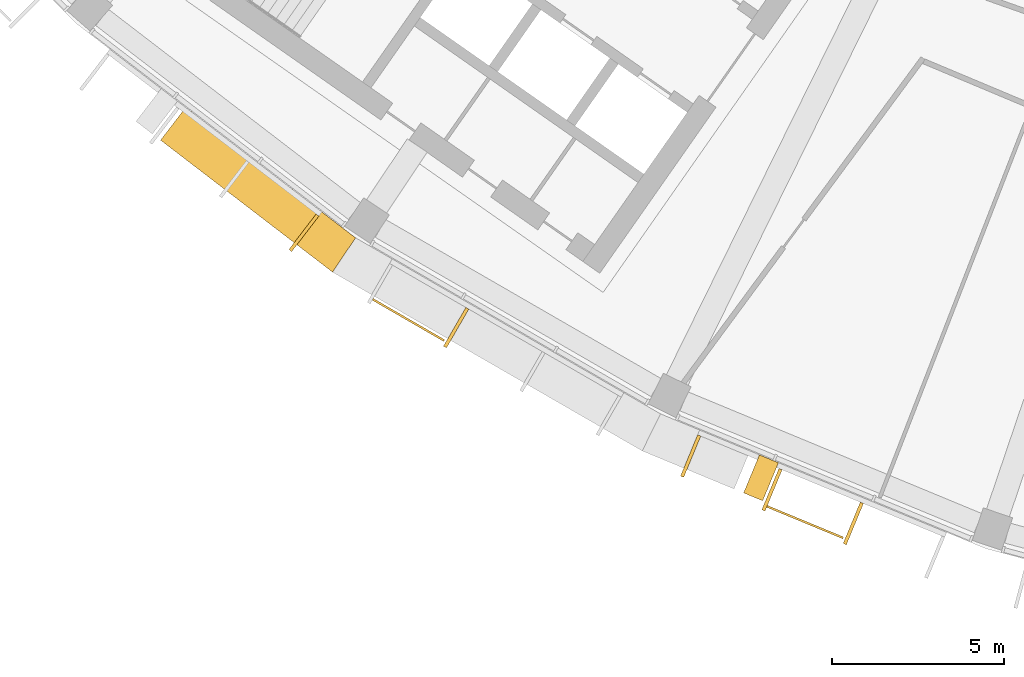
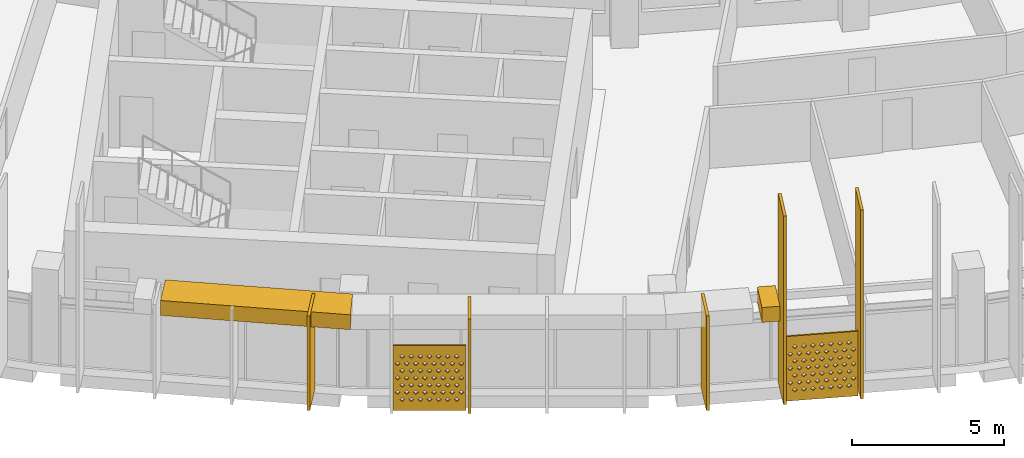
# One storey, part 22 of 28: 9 shading devices.
"""IFC4 building model written with IfcOpenShell, lengths in metres."""

from ifc_helpers import new_model, si_unit, direction, frame, origin, origin_2d, place, context, subcontext, project, spatial, polyline, rectangle, outline, extrude, material, material_profile, profile_set, type_object, element, save


model = new_model("IFC4")

# Units and contexts
model_context = context("Model", 3, precision=1e-05, world=origin(), true_north=direction((0.0, 1.0)))
body_context = subcontext(model_context, "Body", "Model", "MODEL_VIEW")
ifc_project = project(units=[si_unit("LENGTHUNIT", "METRE"), si_unit("AREAUNIT", "SQUARE_METRE"), si_unit("VOLUMEUNIT", "CUBIC_METRE"), si_unit("PLANEANGLEUNIT", "RADIAN"), si_unit("MASSUNIT", "GRAM", prefix="KILO")], contexts=[model_context])

# Site, building, storey
site_placement = place(None, origin())
site = spatial("IfcSite", under=ifc_project, at=site_placement, CompositionType="ELEMENT")
building_placement = place(site_placement, origin())
building = spatial("IfcBuilding", under=site, at=building_placement, Name="Qamariyya Broadcast Tower", CompositionType="ELEMENT")
storey_placement = place(building_placement, frame((0.0, 0.0, 265.699951171875)))
storey = spatial("IfcBuildingStorey", under=building, at=storey_placement, Name="L64", CompositionType="ELEMENT", Elevation=265.699951171875)

# Shading devices
ifc_material_1 = material(Name="Steel S355 powder coated deep red", Category="steel")
shading_device_type_1 = type_object("IfcShadingDeviceType", Name="Deep red frame, powder coated steel box section", PredefinedType="USERDEFINED", material=ifc_material_1)
shading_device_1_placement = place(storey_placement, frame((0.0, 0.0, 3.199951171875)))
element("IfcShadingDevice", 1, at=shading_device_1_placement, inside=storey, type_object=shading_device_type_1, Name="e-frm-B5-F2-postb-L64", ObjectType="FRAME", PredefinedType="USERDEFINED", context=body_context, shape_type="SweptSolid", body=[
    extrude(outline(polyline([(-31.7744140625, -71.46240234375), (-32.233642578125, -72.571044921875), (-31.67919921875, -72.80078125), (-31.219970703125, -71.692138671875), (-31.7744140625, -71.46240234375)])), origin(), (0.0, 0.0, 1.0), 0.60009765625),
])
shading_device_2_placement = place(storey_placement, frame((0.0, 0.0, 3.199951171875)))
element("IfcShadingDevice", 2, at=shading_device_2_placement, inside=storey, type_object=shading_device_type_1, Name="e-frm-B5-F2-bot0", ObjectType="FRAME", PredefinedType="USERDEFINED", context=body_context, shape_type="SweptSolid", body=[
    extrude(outline(polyline([(-48.473388671875, -61.3515625), (-49.203857421875, -62.3037109375), (-44.197021484375, -66.1455078125), (-43.52880859375, -65.145751953125), (-48.473388671875, -61.3515625)])), origin(), (0.0, 0.0, 1.0), 0.60009765625),
])
ifc_material_2 = material(Name="Perforated glazed terracotta", Category="masonry")
ifc_material_profile_1 = material_profile(ifc_material_2, outline(polyline([(-1.199951171875, -1.300048828125), (1.199951171875, -1.300048828125), (1.199951171875, 1.300048828125), (-1.199951171875, 1.300048828125), (-1.199951171875, -1.300048828125)]), holes=[polyline([(-0.81494140625, -0.86669921875), (-0.89990234375, -0.78173828125), (-0.985107421875, -0.86669921875), (-0.89990234375, -0.95166015625), (-0.81494140625, -0.86669921875)]), polyline([(-0.514892578125, -0.86669921875), (-0.60009765625, -0.78173828125), (-0.68505859375, -0.86669921875), (-0.60009765625, -0.95166015625), (-0.514892578125, -0.86669921875)]), polyline([(-0.215087890625, -0.86669921875), (-0.300048828125, -0.78173828125), (-0.385009765625, -0.86669921875), (-0.300048828125, -0.95166015625), (-0.215087890625, -0.86669921875)]), polyline([(0.0849609375, -0.86669921875), (0.0, -0.78173828125), (-0.0849609375, -0.86669921875), (0.0, -0.95166015625), (0.0849609375, -0.86669921875)]), polyline([(0.385009765625, -0.86669921875), (0.300048828125, -0.78173828125), (0.215087890625, -0.86669921875), (0.300048828125, -0.95166015625), (0.385009765625, -0.86669921875)]), polyline([(0.68505859375, -0.86669921875), (0.60009765625, -0.78173828125), (0.514892578125, -0.86669921875), (0.60009765625, -0.95166015625), (0.68505859375, -0.86669921875)]), polyline([(0.985107421875, -0.86669921875), (0.89990234375, -0.78173828125), (0.81494140625, -0.86669921875), (0.89990234375, -0.95166015625), (0.985107421875, -0.86669921875)]), polyline([(-0.965087890625, -0.577880859375), (-1.050048828125, -0.49267578125), (-1.135009765625, -0.577880859375), (-1.050048828125, -0.662841796875), (-0.965087890625, -0.577880859375)]), polyline([(-0.6650390625, -0.577880859375), (-0.75, -0.49267578125), (-0.8349609375, -0.577880859375), (-0.75, -0.662841796875), (-0.6650390625, -0.577880859375)]), polyline([(-0.364990234375, -0.577880859375), (-0.449951171875, -0.49267578125), (-0.534912109375, -0.577880859375), (-0.449951171875, -0.662841796875), (-0.364990234375, -0.577880859375)]), polyline([(-0.06494140625, -0.577880859375), (-0.14990234375, -0.49267578125), (-0.235107421875, -0.577880859375), (-0.14990234375, -0.662841796875), (-0.06494140625, -0.577880859375)]), polyline([(0.235107421875, -0.577880859375), (0.14990234375, -0.49267578125), (0.06494140625, -0.577880859375), (0.14990234375, -0.662841796875), (0.235107421875, -0.577880859375)]), polyline([(0.534912109375, -0.577880859375), (0.449951171875, -0.49267578125), (0.364990234375, -0.577880859375), (0.449951171875, -0.662841796875), (0.534912109375, -0.577880859375)]), polyline([(0.8349609375, -0.577880859375), (0.75, -0.49267578125), (0.6650390625, -0.577880859375), (0.75, -0.662841796875), (0.8349609375, -0.577880859375)]), polyline([(1.135009765625, -0.577880859375), (1.050048828125, -0.49267578125), (0.965087890625, -0.577880859375), (1.050048828125, -0.662841796875), (1.135009765625, -0.577880859375)]), polyline([(-0.81494140625, -0.288818359375), (-0.89990234375, -0.203857421875), (-0.985107421875, -0.288818359375), (-0.89990234375, -0.373779296875), (-0.81494140625, -0.288818359375)]), polyline([(-0.514892578125, -0.288818359375), (-0.60009765625, -0.203857421875), (-0.68505859375, -0.288818359375), (-0.60009765625, -0.373779296875), (-0.514892578125, -0.288818359375)]), polyline([(-0.215087890625, -0.288818359375), (-0.300048828125, -0.203857421875), (-0.385009765625, -0.288818359375), (-0.300048828125, -0.373779296875), (-0.215087890625, -0.288818359375)]), polyline([(0.0849609375, -0.288818359375), (0.0, -0.203857421875), (-0.0849609375, -0.288818359375), (0.0, -0.373779296875), (0.0849609375, -0.288818359375)]), polyline([(0.385009765625, -0.288818359375), (0.300048828125, -0.203857421875), (0.215087890625, -0.288818359375), (0.300048828125, -0.373779296875), (0.385009765625, -0.288818359375)]), polyline([(0.68505859375, -0.288818359375), (0.60009765625, -0.203857421875), (0.514892578125, -0.288818359375), (0.60009765625, -0.373779296875), (0.68505859375, -0.288818359375)]), polyline([(0.985107421875, -0.288818359375), (0.89990234375, -0.203857421875), (0.81494140625, -0.288818359375), (0.89990234375, -0.373779296875), (0.985107421875, -0.288818359375)]), polyline([(-0.965087890625, 0.0), (-1.050048828125, 0.0849609375), (-1.135009765625, 0.0), (-1.050048828125, -0.0849609375), (-0.965087890625, 0.0)]), polyline([(-0.6650390625, 0.0), (-0.75, 0.0849609375), (-0.8349609375, 0.0), (-0.75, -0.0849609375), (-0.6650390625, 0.0)]), polyline([(-0.364990234375, 0.0), (-0.449951171875, 0.0849609375), (-0.534912109375, 0.0), (-0.449951171875, -0.0849609375), (-0.364990234375, 0.0)]), polyline([(-0.06494140625, 0.0), (-0.14990234375, 0.0849609375), (-0.235107421875, 0.0), (-0.14990234375, -0.0849609375), (-0.06494140625, 0.0)]), polyline([(0.235107421875, 0.0), (0.14990234375, 0.0849609375), (0.06494140625, 0.0), (0.14990234375, -0.0849609375), (0.235107421875, 0.0)]), polyline([(0.534912109375, 0.0), (0.449951171875, 0.0849609375), (0.364990234375, 0.0), (0.449951171875, -0.0849609375), (0.534912109375, 0.0)]), polyline([(0.8349609375, 0.0), (0.75, 0.0849609375), (0.6650390625, 0.0), (0.75, -0.0849609375), (0.8349609375, 0.0)]), polyline([(1.135009765625, 0.0), (1.050048828125, 0.0849609375), (0.965087890625, 0.0), (1.050048828125, -0.0849609375), (1.135009765625, 0.0)]), polyline([(-0.81494140625, 0.288818359375), (-0.89990234375, 0.373779296875), (-0.985107421875, 0.288818359375), (-0.89990234375, 0.203857421875), (-0.81494140625, 0.288818359375)]), polyline([(-0.514892578125, 0.288818359375), (-0.60009765625, 0.373779296875), (-0.68505859375, 0.288818359375), (-0.60009765625, 0.203857421875), (-0.514892578125, 0.288818359375)]), polyline([(-0.215087890625, 0.288818359375), (-0.300048828125, 0.373779296875), (-0.385009765625, 0.288818359375), (-0.300048828125, 0.203857421875), (-0.215087890625, 0.288818359375)]), polyline([(0.0849609375, 0.288818359375), (0.0, 0.373779296875), (-0.0849609375, 0.288818359375), (0.0, 0.203857421875), (0.0849609375, 0.288818359375)]), polyline([(0.385009765625, 0.288818359375), (0.300048828125, 0.373779296875), (0.215087890625, 0.288818359375), (0.300048828125, 0.203857421875), (0.385009765625, 0.288818359375)]), polyline([(0.68505859375, 0.288818359375), (0.60009765625, 0.373779296875), (0.514892578125, 0.288818359375), (0.60009765625, 0.203857421875), (0.68505859375, 0.288818359375)]), polyline([(0.985107421875, 0.288818359375), (0.89990234375, 0.373779296875), (0.81494140625, 0.288818359375), (0.89990234375, 0.203857421875), (0.985107421875, 0.288818359375)]), polyline([(-0.965087890625, 0.577880859375), (-1.050048828125, 0.662841796875), (-1.135009765625, 0.577880859375), (-1.050048828125, 0.49267578125), (-0.965087890625, 0.577880859375)]), polyline([(-0.6650390625, 0.577880859375), (-0.75, 0.662841796875), (-0.8349609375, 0.577880859375), (-0.75, 0.49267578125), (-0.6650390625, 0.577880859375)]), polyline([(-0.364990234375, 0.577880859375), (-0.449951171875, 0.662841796875), (-0.534912109375, 0.577880859375), (-0.449951171875, 0.49267578125), (-0.364990234375, 0.577880859375)]), polyline([(-0.06494140625, 0.577880859375), (-0.14990234375, 0.662841796875), (-0.235107421875, 0.577880859375), (-0.14990234375, 0.49267578125), (-0.06494140625, 0.577880859375)]), polyline([(0.235107421875, 0.577880859375), (0.14990234375, 0.662841796875), (0.06494140625, 0.577880859375), (0.14990234375, 0.49267578125), (0.235107421875, 0.577880859375)]), polyline([(0.534912109375, 0.577880859375), (0.449951171875, 0.662841796875), (0.364990234375, 0.577880859375), (0.449951171875, 0.49267578125), (0.534912109375, 0.577880859375)]), polyline([(0.8349609375, 0.577880859375), (0.75, 0.662841796875), (0.6650390625, 0.577880859375), (0.75, 0.49267578125), (0.8349609375, 0.577880859375)]), polyline([(1.135009765625, 0.577880859375), (1.050048828125, 0.662841796875), (0.965087890625, 0.577880859375), (1.050048828125, 0.49267578125), (1.135009765625, 0.577880859375)]), polyline([(-0.81494140625, 0.86669921875), (-0.89990234375, 0.95166015625), (-0.985107421875, 0.86669921875), (-0.89990234375, 0.78173828125), (-0.81494140625, 0.86669921875)]), polyline([(-0.514892578125, 0.86669921875), (-0.60009765625, 0.95166015625), (-0.68505859375, 0.86669921875), (-0.60009765625, 0.78173828125), (-0.514892578125, 0.86669921875)]), polyline([(-0.215087890625, 0.86669921875), (-0.300048828125, 0.95166015625), (-0.385009765625, 0.86669921875), (-0.300048828125, 0.78173828125), (-0.215087890625, 0.86669921875)]), polyline([(0.0849609375, 0.86669921875), (0.0, 0.95166015625), (-0.0849609375, 0.86669921875), (0.0, 0.78173828125), (0.0849609375, 0.86669921875)]), polyline([(0.385009765625, 0.86669921875), (0.300048828125, 0.95166015625), (0.215087890625, 0.86669921875), (0.300048828125, 0.78173828125), (0.385009765625, 0.86669921875)]), polyline([(0.68505859375, 0.86669921875), (0.60009765625, 0.95166015625), (0.514892578125, 0.86669921875), (0.60009765625, 0.78173828125), (0.68505859375, 0.86669921875)]), polyline([(0.985107421875, 0.86669921875), (0.89990234375, 0.95166015625), (0.81494140625, 0.86669921875), (0.89990234375, 0.78173828125), (0.985107421875, 0.86669921875)])]))
ifc_profile_set_1 = profile_set([ifc_material_profile_1], Name="Perforated glazed terracotta")
shading_device_type_2 = type_object("IfcShadingDeviceType", Name="Perforated terracotta screen 2400 x 2600", PredefinedType="USERDEFINED", material=ifc_profile_set_1)
shading_device_3_placement = place(storey_placement, frame((-41.971923828125, -67.510986328125, 1.35009765625), z_axis=(-0.500074377092, -0.865982457891, 0.0), x_axis=(0.865982457891, -0.500074377092, 0.0)))
element("IfcShadingDevice", 3, at=shading_device_3_placement, inside=storey, type_object=shading_device_type_2, Name="e-scr-L64-03-0", ObjectType="SCREEN", PredefinedType="USERDEFINED", context=body_context, shape_type="SweptSolid", body=[
    extrude(outline(polyline([(-1.199951171875, -1.300048828125), (1.199951171875, -1.300048828125), (1.199951171875, 1.300048828125), (-1.199951171875, 1.300048828125), (-1.199951171875, -1.300048828125)]), holes=[polyline([(-0.81494140625, -0.86669921875), (-0.89990234375, -0.78173828125), (-0.985107421875, -0.86669921875), (-0.89990234375, -0.95166015625), (-0.81494140625, -0.86669921875)]), polyline([(-0.514892578125, -0.86669921875), (-0.60009765625, -0.78173828125), (-0.68505859375, -0.86669921875), (-0.60009765625, -0.95166015625), (-0.514892578125, -0.86669921875)]), polyline([(-0.215087890625, -0.86669921875), (-0.300048828125, -0.78173828125), (-0.385009765625, -0.86669921875), (-0.300048828125, -0.95166015625), (-0.215087890625, -0.86669921875)]), polyline([(0.0849609375, -0.86669921875), (0.0, -0.78173828125), (-0.0849609375, -0.86669921875), (0.0, -0.95166015625), (0.0849609375, -0.86669921875)]), polyline([(0.385009765625, -0.86669921875), (0.300048828125, -0.78173828125), (0.215087890625, -0.86669921875), (0.300048828125, -0.95166015625), (0.385009765625, -0.86669921875)]), polyline([(0.68505859375, -0.86669921875), (0.60009765625, -0.78173828125), (0.514892578125, -0.86669921875), (0.60009765625, -0.95166015625), (0.68505859375, -0.86669921875)]), polyline([(0.985107421875, -0.86669921875), (0.89990234375, -0.78173828125), (0.81494140625, -0.86669921875), (0.89990234375, -0.95166015625), (0.985107421875, -0.86669921875)]), polyline([(-0.965087890625, -0.577880859375), (-1.050048828125, -0.49267578125), (-1.135009765625, -0.577880859375), (-1.050048828125, -0.662841796875), (-0.965087890625, -0.577880859375)]), polyline([(-0.6650390625, -0.577880859375), (-0.75, -0.49267578125), (-0.8349609375, -0.577880859375), (-0.75, -0.662841796875), (-0.6650390625, -0.577880859375)]), polyline([(-0.364990234375, -0.577880859375), (-0.449951171875, -0.49267578125), (-0.534912109375, -0.577880859375), (-0.449951171875, -0.662841796875), (-0.364990234375, -0.577880859375)]), polyline([(-0.06494140625, -0.577880859375), (-0.14990234375, -0.49267578125), (-0.235107421875, -0.577880859375), (-0.14990234375, -0.662841796875), (-0.06494140625, -0.577880859375)]), polyline([(0.235107421875, -0.577880859375), (0.14990234375, -0.49267578125), (0.06494140625, -0.577880859375), (0.14990234375, -0.662841796875), (0.235107421875, -0.577880859375)]), polyline([(0.534912109375, -0.577880859375), (0.449951171875, -0.49267578125), (0.364990234375, -0.577880859375), (0.449951171875, -0.662841796875), (0.534912109375, -0.577880859375)]), polyline([(0.8349609375, -0.577880859375), (0.75, -0.49267578125), (0.6650390625, -0.577880859375), (0.75, -0.662841796875), (0.8349609375, -0.577880859375)]), polyline([(1.135009765625, -0.577880859375), (1.050048828125, -0.49267578125), (0.965087890625, -0.577880859375), (1.050048828125, -0.662841796875), (1.135009765625, -0.577880859375)]), polyline([(-0.81494140625, -0.288818359375), (-0.89990234375, -0.203857421875), (-0.985107421875, -0.288818359375), (-0.89990234375, -0.373779296875), (-0.81494140625, -0.288818359375)]), polyline([(-0.514892578125, -0.288818359375), (-0.60009765625, -0.203857421875), (-0.68505859375, -0.288818359375), (-0.60009765625, -0.373779296875), (-0.514892578125, -0.288818359375)]), polyline([(-0.215087890625, -0.288818359375), (-0.300048828125, -0.203857421875), (-0.385009765625, -0.288818359375), (-0.300048828125, -0.373779296875), (-0.215087890625, -0.288818359375)]), polyline([(0.0849609375, -0.288818359375), (0.0, -0.203857421875), (-0.0849609375, -0.288818359375), (0.0, -0.373779296875), (0.0849609375, -0.288818359375)]), polyline([(0.385009765625, -0.288818359375), (0.300048828125, -0.203857421875), (0.215087890625, -0.288818359375), (0.300048828125, -0.373779296875), (0.385009765625, -0.288818359375)]), polyline([(0.68505859375, -0.288818359375), (0.60009765625, -0.203857421875), (0.514892578125, -0.288818359375), (0.60009765625, -0.373779296875), (0.68505859375, -0.288818359375)]), polyline([(0.985107421875, -0.288818359375), (0.89990234375, -0.203857421875), (0.81494140625, -0.288818359375), (0.89990234375, -0.373779296875), (0.985107421875, -0.288818359375)]), polyline([(-0.965087890625, 0.0), (-1.050048828125, 0.0849609375), (-1.135009765625, 0.0), (-1.050048828125, -0.0849609375), (-0.965087890625, 0.0)]), polyline([(-0.6650390625, 0.0), (-0.75, 0.0849609375), (-0.8349609375, 0.0), (-0.75, -0.0849609375), (-0.6650390625, 0.0)]), polyline([(-0.364990234375, 0.0), (-0.449951171875, 0.0849609375), (-0.534912109375, 0.0), (-0.449951171875, -0.0849609375), (-0.364990234375, 0.0)]), polyline([(-0.06494140625, 0.0), (-0.14990234375, 0.0849609375), (-0.235107421875, 0.0), (-0.14990234375, -0.0849609375), (-0.06494140625, 0.0)]), polyline([(0.235107421875, 0.0), (0.14990234375, 0.0849609375), (0.06494140625, 0.0), (0.14990234375, -0.0849609375), (0.235107421875, 0.0)]), polyline([(0.534912109375, 0.0), (0.449951171875, 0.0849609375), (0.364990234375, 0.0), (0.449951171875, -0.0849609375), (0.534912109375, 0.0)]), polyline([(0.8349609375, 0.0), (0.75, 0.0849609375), (0.6650390625, 0.0), (0.75, -0.0849609375), (0.8349609375, 0.0)]), polyline([(1.135009765625, 0.0), (1.050048828125, 0.0849609375), (0.965087890625, 0.0), (1.050048828125, -0.0849609375), (1.135009765625, 0.0)]), polyline([(-0.81494140625, 0.288818359375), (-0.89990234375, 0.373779296875), (-0.985107421875, 0.288818359375), (-0.89990234375, 0.203857421875), (-0.81494140625, 0.288818359375)]), polyline([(-0.514892578125, 0.288818359375), (-0.60009765625, 0.373779296875), (-0.68505859375, 0.288818359375), (-0.60009765625, 0.203857421875), (-0.514892578125, 0.288818359375)]), polyline([(-0.215087890625, 0.288818359375), (-0.300048828125, 0.373779296875), (-0.385009765625, 0.288818359375), (-0.300048828125, 0.203857421875), (-0.215087890625, 0.288818359375)]), polyline([(0.0849609375, 0.288818359375), (0.0, 0.373779296875), (-0.0849609375, 0.288818359375), (0.0, 0.203857421875), (0.0849609375, 0.288818359375)]), polyline([(0.385009765625, 0.288818359375), (0.300048828125, 0.373779296875), (0.215087890625, 0.288818359375), (0.300048828125, 0.203857421875), (0.385009765625, 0.288818359375)]), polyline([(0.68505859375, 0.288818359375), (0.60009765625, 0.373779296875), (0.514892578125, 0.288818359375), (0.60009765625, 0.203857421875), (0.68505859375, 0.288818359375)]), polyline([(0.985107421875, 0.288818359375), (0.89990234375, 0.373779296875), (0.81494140625, 0.288818359375), (0.89990234375, 0.203857421875), (0.985107421875, 0.288818359375)]), polyline([(-0.965087890625, 0.577880859375), (-1.050048828125, 0.662841796875), (-1.135009765625, 0.577880859375), (-1.050048828125, 0.49267578125), (-0.965087890625, 0.577880859375)]), polyline([(-0.6650390625, 0.577880859375), (-0.75, 0.662841796875), (-0.8349609375, 0.577880859375), (-0.75, 0.49267578125), (-0.6650390625, 0.577880859375)]), polyline([(-0.364990234375, 0.577880859375), (-0.449951171875, 0.662841796875), (-0.534912109375, 0.577880859375), (-0.449951171875, 0.49267578125), (-0.364990234375, 0.577880859375)]), polyline([(-0.06494140625, 0.577880859375), (-0.14990234375, 0.662841796875), (-0.235107421875, 0.577880859375), (-0.14990234375, 0.49267578125), (-0.06494140625, 0.577880859375)]), polyline([(0.235107421875, 0.577880859375), (0.14990234375, 0.662841796875), (0.06494140625, 0.577880859375), (0.14990234375, 0.49267578125), (0.235107421875, 0.577880859375)]), polyline([(0.534912109375, 0.577880859375), (0.449951171875, 0.662841796875), (0.364990234375, 0.577880859375), (0.449951171875, 0.49267578125), (0.534912109375, 0.577880859375)]), polyline([(0.8349609375, 0.577880859375), (0.75, 0.662841796875), (0.6650390625, 0.577880859375), (0.75, 0.49267578125), (0.8349609375, 0.577880859375)]), polyline([(1.135009765625, 0.577880859375), (1.050048828125, 0.662841796875), (0.965087890625, 0.577880859375), (1.050048828125, 0.49267578125), (1.135009765625, 0.577880859375)]), polyline([(-0.81494140625, 0.86669921875), (-0.89990234375, 0.95166015625), (-0.985107421875, 0.86669921875), (-0.89990234375, 0.78173828125), (-0.81494140625, 0.86669921875)]), polyline([(-0.514892578125, 0.86669921875), (-0.60009765625, 0.95166015625), (-0.68505859375, 0.86669921875), (-0.60009765625, 0.78173828125), (-0.514892578125, 0.86669921875)]), polyline([(-0.215087890625, 0.86669921875), (-0.300048828125, 0.95166015625), (-0.385009765625, 0.86669921875), (-0.300048828125, 0.78173828125), (-0.215087890625, 0.86669921875)]), polyline([(0.0849609375, 0.86669921875), (0.0, 0.95166015625), (-0.0849609375, 0.86669921875), (0.0, 0.78173828125), (0.0849609375, 0.86669921875)]), polyline([(0.385009765625, 0.86669921875), (0.300048828125, 0.95166015625), (0.215087890625, 0.86669921875), (0.300048828125, 0.78173828125), (0.385009765625, 0.86669921875)]), polyline([(0.68505859375, 0.86669921875), (0.60009765625, 0.95166015625), (0.514892578125, 0.86669921875), (0.60009765625, 0.78173828125), (0.68505859375, 0.86669921875)]), polyline([(0.985107421875, 0.86669921875), (0.89990234375, 0.95166015625), (0.81494140625, 0.86669921875), (0.89990234375, 0.78173828125), (0.985107421875, 0.86669921875)])]), origin(), (0.0, 0.0, 1.0), 0.06005859375),
])
shading_device_4_placement = place(storey_placement, frame((-30.433837890625, -73.392333984375, 1.35009765625), z_axis=(-0.382591441855, -0.923917630863, 0.0), x_axis=(0.923917630863, -0.382591441855, 0.0)))
element("IfcShadingDevice", 4, at=shading_device_4_placement, inside=storey, type_object=shading_device_type_2, Name="e-scr-L64-04-1", ObjectType="SCREEN", PredefinedType="USERDEFINED", context=body_context, shape_type="SweptSolid", body=[
    extrude(outline(polyline([(-1.199951171875, -1.300048828125), (1.199951171875, -1.300048828125), (1.199951171875, 1.300048828125), (-1.199951171875, 1.300048828125), (-1.199951171875, -1.300048828125)]), holes=[polyline([(-0.81494140625, -0.86669921875), (-0.89990234375, -0.78173828125), (-0.985107421875, -0.86669921875), (-0.89990234375, -0.95166015625), (-0.81494140625, -0.86669921875)]), polyline([(-0.514892578125, -0.86669921875), (-0.60009765625, -0.78173828125), (-0.68505859375, -0.86669921875), (-0.60009765625, -0.95166015625), (-0.514892578125, -0.86669921875)]), polyline([(-0.215087890625, -0.86669921875), (-0.300048828125, -0.78173828125), (-0.385009765625, -0.86669921875), (-0.300048828125, -0.95166015625), (-0.215087890625, -0.86669921875)]), polyline([(0.0849609375, -0.86669921875), (0.0, -0.78173828125), (-0.0849609375, -0.86669921875), (0.0, -0.95166015625), (0.0849609375, -0.86669921875)]), polyline([(0.385009765625, -0.86669921875), (0.300048828125, -0.78173828125), (0.215087890625, -0.86669921875), (0.300048828125, -0.95166015625), (0.385009765625, -0.86669921875)]), polyline([(0.68505859375, -0.86669921875), (0.60009765625, -0.78173828125), (0.514892578125, -0.86669921875), (0.60009765625, -0.95166015625), (0.68505859375, -0.86669921875)]), polyline([(0.985107421875, -0.86669921875), (0.89990234375, -0.78173828125), (0.81494140625, -0.86669921875), (0.89990234375, -0.95166015625), (0.985107421875, -0.86669921875)]), polyline([(-0.965087890625, -0.577880859375), (-1.050048828125, -0.49267578125), (-1.135009765625, -0.577880859375), (-1.050048828125, -0.662841796875), (-0.965087890625, -0.577880859375)]), polyline([(-0.6650390625, -0.577880859375), (-0.75, -0.49267578125), (-0.8349609375, -0.577880859375), (-0.75, -0.662841796875), (-0.6650390625, -0.577880859375)]), polyline([(-0.364990234375, -0.577880859375), (-0.449951171875, -0.49267578125), (-0.534912109375, -0.577880859375), (-0.449951171875, -0.662841796875), (-0.364990234375, -0.577880859375)]), polyline([(-0.06494140625, -0.577880859375), (-0.14990234375, -0.49267578125), (-0.235107421875, -0.577880859375), (-0.14990234375, -0.662841796875), (-0.06494140625, -0.577880859375)]), polyline([(0.235107421875, -0.577880859375), (0.14990234375, -0.49267578125), (0.06494140625, -0.577880859375), (0.14990234375, -0.662841796875), (0.235107421875, -0.577880859375)]), polyline([(0.534912109375, -0.577880859375), (0.449951171875, -0.49267578125), (0.364990234375, -0.577880859375), (0.449951171875, -0.662841796875), (0.534912109375, -0.577880859375)]), polyline([(0.8349609375, -0.577880859375), (0.75, -0.49267578125), (0.6650390625, -0.577880859375), (0.75, -0.662841796875), (0.8349609375, -0.577880859375)]), polyline([(1.135009765625, -0.577880859375), (1.050048828125, -0.49267578125), (0.965087890625, -0.577880859375), (1.050048828125, -0.662841796875), (1.135009765625, -0.577880859375)]), polyline([(-0.81494140625, -0.288818359375), (-0.89990234375, -0.203857421875), (-0.985107421875, -0.288818359375), (-0.89990234375, -0.373779296875), (-0.81494140625, -0.288818359375)]), polyline([(-0.514892578125, -0.288818359375), (-0.60009765625, -0.203857421875), (-0.68505859375, -0.288818359375), (-0.60009765625, -0.373779296875), (-0.514892578125, -0.288818359375)]), polyline([(-0.215087890625, -0.288818359375), (-0.300048828125, -0.203857421875), (-0.385009765625, -0.288818359375), (-0.300048828125, -0.373779296875), (-0.215087890625, -0.288818359375)]), polyline([(0.0849609375, -0.288818359375), (0.0, -0.203857421875), (-0.0849609375, -0.288818359375), (0.0, -0.373779296875), (0.0849609375, -0.288818359375)]), polyline([(0.385009765625, -0.288818359375), (0.300048828125, -0.203857421875), (0.215087890625, -0.288818359375), (0.300048828125, -0.373779296875), (0.385009765625, -0.288818359375)]), polyline([(0.68505859375, -0.288818359375), (0.60009765625, -0.203857421875), (0.514892578125, -0.288818359375), (0.60009765625, -0.373779296875), (0.68505859375, -0.288818359375)]), polyline([(0.985107421875, -0.288818359375), (0.89990234375, -0.203857421875), (0.81494140625, -0.288818359375), (0.89990234375, -0.373779296875), (0.985107421875, -0.288818359375)]), polyline([(-0.965087890625, 0.0), (-1.050048828125, 0.0849609375), (-1.135009765625, 0.0), (-1.050048828125, -0.0849609375), (-0.965087890625, 0.0)]), polyline([(-0.6650390625, 0.0), (-0.75, 0.0849609375), (-0.8349609375, 0.0), (-0.75, -0.0849609375), (-0.6650390625, 0.0)]), polyline([(-0.364990234375, 0.0), (-0.449951171875, 0.0849609375), (-0.534912109375, 0.0), (-0.449951171875, -0.0849609375), (-0.364990234375, 0.0)]), polyline([(-0.06494140625, 0.0), (-0.14990234375, 0.0849609375), (-0.235107421875, 0.0), (-0.14990234375, -0.0849609375), (-0.06494140625, 0.0)]), polyline([(0.235107421875, 0.0), (0.14990234375, 0.0849609375), (0.06494140625, 0.0), (0.14990234375, -0.0849609375), (0.235107421875, 0.0)]), polyline([(0.534912109375, 0.0), (0.449951171875, 0.0849609375), (0.364990234375, 0.0), (0.449951171875, -0.0849609375), (0.534912109375, 0.0)]), polyline([(0.8349609375, 0.0), (0.75, 0.0849609375), (0.6650390625, 0.0), (0.75, -0.0849609375), (0.8349609375, 0.0)]), polyline([(1.135009765625, 0.0), (1.050048828125, 0.0849609375), (0.965087890625, 0.0), (1.050048828125, -0.0849609375), (1.135009765625, 0.0)]), polyline([(-0.81494140625, 0.288818359375), (-0.89990234375, 0.373779296875), (-0.985107421875, 0.288818359375), (-0.89990234375, 0.203857421875), (-0.81494140625, 0.288818359375)]), polyline([(-0.514892578125, 0.288818359375), (-0.60009765625, 0.373779296875), (-0.68505859375, 0.288818359375), (-0.60009765625, 0.203857421875), (-0.514892578125, 0.288818359375)]), polyline([(-0.215087890625, 0.288818359375), (-0.300048828125, 0.373779296875), (-0.385009765625, 0.288818359375), (-0.300048828125, 0.203857421875), (-0.215087890625, 0.288818359375)]), polyline([(0.0849609375, 0.288818359375), (0.0, 0.373779296875), (-0.0849609375, 0.288818359375), (0.0, 0.203857421875), (0.0849609375, 0.288818359375)]), polyline([(0.385009765625, 0.288818359375), (0.300048828125, 0.373779296875), (0.215087890625, 0.288818359375), (0.300048828125, 0.203857421875), (0.385009765625, 0.288818359375)]), polyline([(0.68505859375, 0.288818359375), (0.60009765625, 0.373779296875), (0.514892578125, 0.288818359375), (0.60009765625, 0.203857421875), (0.68505859375, 0.288818359375)]), polyline([(0.985107421875, 0.288818359375), (0.89990234375, 0.373779296875), (0.81494140625, 0.288818359375), (0.89990234375, 0.203857421875), (0.985107421875, 0.288818359375)]), polyline([(-0.965087890625, 0.577880859375), (-1.050048828125, 0.662841796875), (-1.135009765625, 0.577880859375), (-1.050048828125, 0.49267578125), (-0.965087890625, 0.577880859375)]), polyline([(-0.6650390625, 0.577880859375), (-0.75, 0.662841796875), (-0.8349609375, 0.577880859375), (-0.75, 0.49267578125), (-0.6650390625, 0.577880859375)]), polyline([(-0.364990234375, 0.577880859375), (-0.449951171875, 0.662841796875), (-0.534912109375, 0.577880859375), (-0.449951171875, 0.49267578125), (-0.364990234375, 0.577880859375)]), polyline([(-0.06494140625, 0.577880859375), (-0.14990234375, 0.662841796875), (-0.235107421875, 0.577880859375), (-0.14990234375, 0.49267578125), (-0.06494140625, 0.577880859375)]), polyline([(0.235107421875, 0.577880859375), (0.14990234375, 0.662841796875), (0.06494140625, 0.577880859375), (0.14990234375, 0.49267578125), (0.235107421875, 0.577880859375)]), polyline([(0.534912109375, 0.577880859375), (0.449951171875, 0.662841796875), (0.364990234375, 0.577880859375), (0.449951171875, 0.49267578125), (0.534912109375, 0.577880859375)]), polyline([(0.8349609375, 0.577880859375), (0.75, 0.662841796875), (0.6650390625, 0.577880859375), (0.75, 0.49267578125), (0.8349609375, 0.577880859375)]), polyline([(1.135009765625, 0.577880859375), (1.050048828125, 0.662841796875), (0.965087890625, 0.577880859375), (1.050048828125, 0.49267578125), (1.135009765625, 0.577880859375)]), polyline([(-0.81494140625, 0.86669921875), (-0.89990234375, 0.95166015625), (-0.985107421875, 0.86669921875), (-0.89990234375, 0.78173828125), (-0.81494140625, 0.86669921875)]), polyline([(-0.514892578125, 0.86669921875), (-0.60009765625, 0.95166015625), (-0.68505859375, 0.86669921875), (-0.60009765625, 0.78173828125), (-0.514892578125, 0.86669921875)]), polyline([(-0.215087890625, 0.86669921875), (-0.300048828125, 0.95166015625), (-0.385009765625, 0.86669921875), (-0.300048828125, 0.78173828125), (-0.215087890625, 0.86669921875)]), polyline([(0.0849609375, 0.86669921875), (0.0, 0.95166015625), (-0.0849609375, 0.86669921875), (0.0, 0.78173828125), (0.0849609375, 0.86669921875)]), polyline([(0.385009765625, 0.86669921875), (0.300048828125, 0.95166015625), (0.215087890625, 0.86669921875), (0.300048828125, 0.78173828125), (0.385009765625, 0.86669921875)]), polyline([(0.68505859375, 0.86669921875), (0.60009765625, 0.95166015625), (0.514892578125, 0.86669921875), (0.60009765625, 0.78173828125), (0.68505859375, 0.86669921875)]), polyline([(0.985107421875, 0.86669921875), (0.89990234375, 0.95166015625), (0.81494140625, 0.86669921875), (0.89990234375, 0.78173828125), (0.985107421875, 0.86669921875)])]), origin(), (0.0, 0.0, 1.0), 0.06005859375),
])
ifc_material_3 = material(Name="Glazed terracotta", Category="masonry")
ifc_material_profile_2 = material_profile(ifc_material_3, rectangle(XDim=1.300048828125, YDim=0.10009765625, at=origin_2d()))
ifc_profile_set_2 = profile_set([ifc_material_profile_2], Name="Glazed terracotta")
shading_device_type_3 = type_object("IfcShadingDeviceType", Name="Terracotta fin 100 x 1300", PredefinedType="USERDEFINED", material=ifc_profile_set_2)
for number, where, z_axis, x_axis, name in (
    (5, (-45.0322265625, -65.00048828125, 0.0), (0.0, 0.0, 1.0), (-0.608761429009, -0.793353340291, 0.0), "e-fin-L64-02-3"),
    (6, (-40.6005859375, -67.760009765625, 0.0), (0.0, 0.0, 1.0), (-0.5, -0.866025403784, 0.0), "e-fin-L64-03-1"),
    (7, (-33.77587890625, -71.499267578125, 0.0), (0.0, 0.0, 1.0), (-0.382683432365, -0.923879532511, 0.0), "e-fin-L64-04-0"),
):
    element("IfcShadingDevice", number, at=place(storey_placement, frame(where, z_axis=z_axis, x_axis=x_axis)), inside=storey, type_object=shading_device_type_3, Name=name, ObjectType="FIN", PredefinedType="USERDEFINED", context=body_context, shape_type="SweptSolid", body=[
        extrude(rectangle(XDim=1.300048828125, YDim=0.10009765625, at=origin_2d()), origin(), (0.0, 0.0, 1.0), 3.800048828125),
    ])
for number, where, z_axis, x_axis, name in (
    (8, (-31.40869140625, -72.479736328125, 0.0), (0.0, 0.0, 1.0), (-0.382683432365, -0.923879532511, 0.0), "e-fin-L64-04-1"),
    (9, (-29.041748046875, -73.46044921875, 0.0), (0.0, 0.0, 1.0), (-0.382683432365, -0.923879532511, 0.0), "e-fin-L64-04-2"),
):
    element("IfcShadingDevice", number, at=place(storey_placement, frame(where, z_axis=z_axis, x_axis=x_axis)), inside=storey, type_object=shading_device_type_3, Name=name, ObjectType="FIN", PredefinedType="USERDEFINED", context=body_context, shape_type="SweptSolid", body=[
        extrude(rectangle(XDim=1.300048828125, YDim=0.10009765625, at=origin_2d()), origin(), (0.0, 0.0, 1.0), 7.60009765625),
    ])

save(model, "model.ifc")
